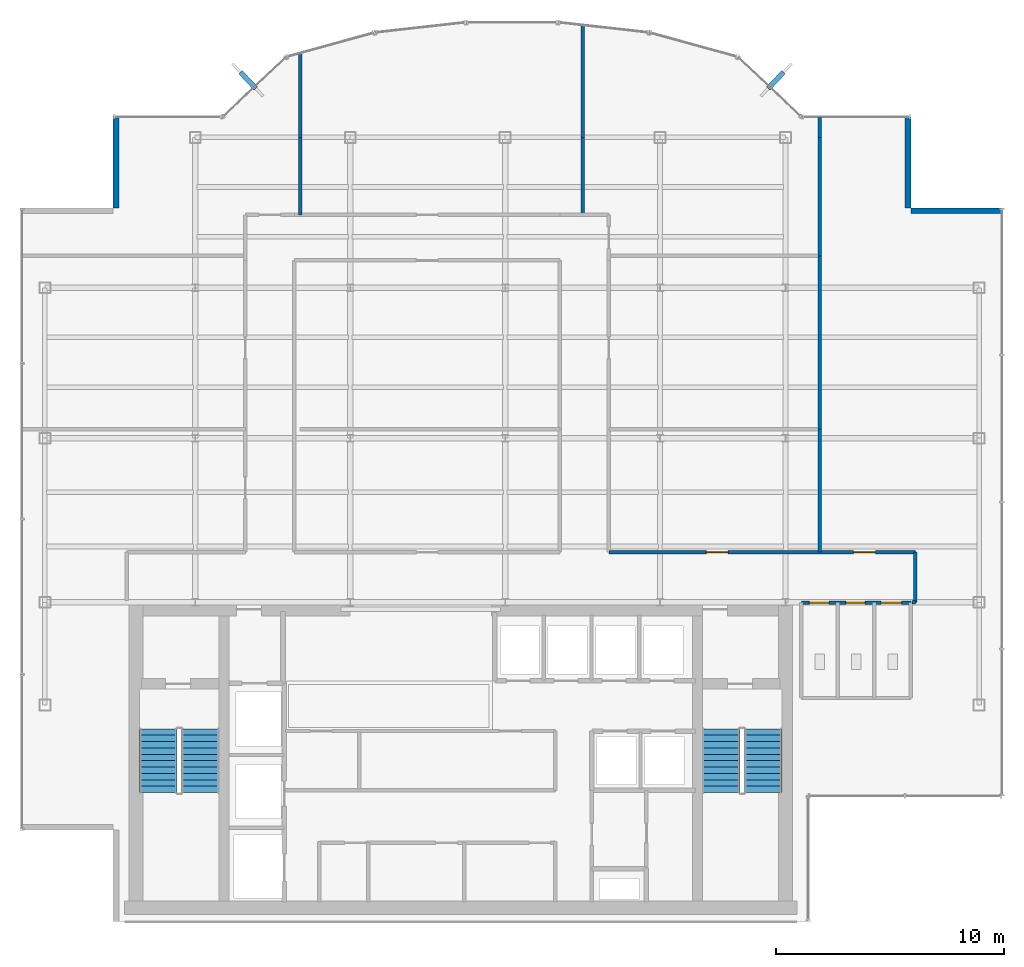
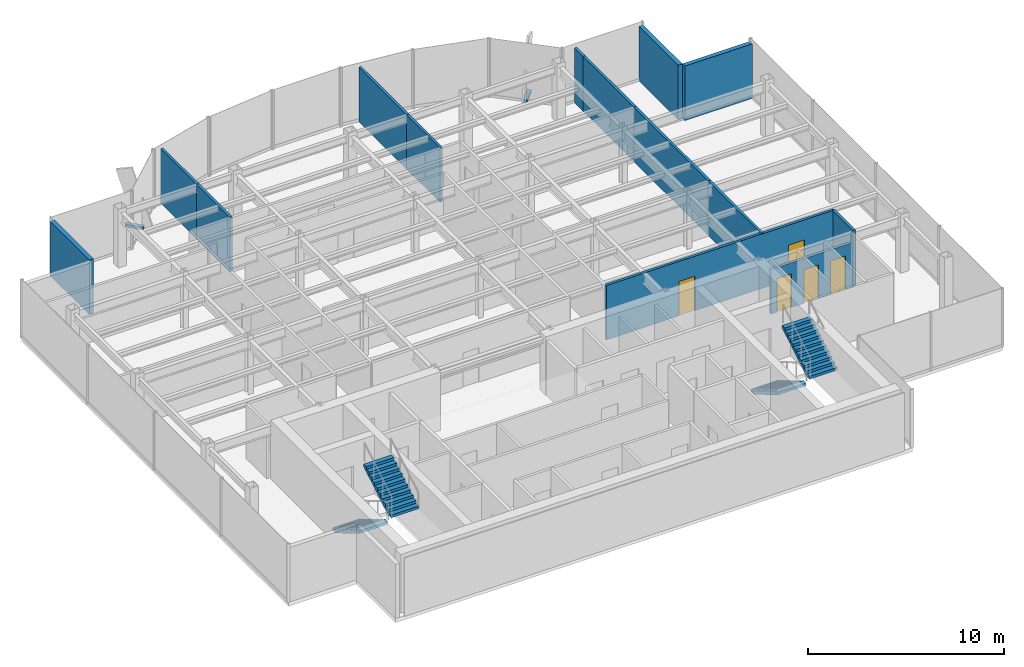
# One storey, part 19 of 22: 15 walls, 5 doors, 4 stair flights, 2 discrete accessories, 5 openings, 2 elements without a shape of their own.
"""IFC4 building model written with IfcOpenShell, lengths in metres."""

from ifc_helpers import new_model, si_unit, derived_unit, direction, frame, frame_2d, origin, origin_2d, place, context, subcontext, project, spatial, polyline, rectangle, outline, extrude, source, transform, mapped, material, layer, layer_set, type_object, element, fill, aggregate, save


model = new_model("IFC4")

# Units and contexts
model_context = context("Model", 3, precision=1e-05, world=origin(), true_north=direction((0.0, 1.0)))
body_context = subcontext(model_context, "Body", "Model", "MODEL_VIEW")
ifc_project = project(units=[si_unit("LENGTHUNIT", "METRE"), si_unit("AREAUNIT", "SQUARE_METRE"), si_unit("VOLUMEUNIT", "CUBIC_METRE"), si_unit("PLANEANGLEUNIT", "RADIAN"), si_unit("MASSUNIT", "GRAM", prefix="KILO"), derived_unit("THERMALTRANSMITTANCEUNIT", [(si_unit("POWERUNIT", "WATT"), 1), (si_unit("LENGTHUNIT", "METRE"), -2), (si_unit("THERMODYNAMICTEMPERATUREUNIT", "KELVIN"), -1)])], contexts=[model_context])

# Site, building, storey
site_placement = place(None, origin())
site = spatial("IfcSite", under=ifc_project, at=site_placement, CompositionType="ELEMENT")
building_placement = place(site_placement, origin())
building = spatial("IfcBuilding", under=site, at=building_placement, Name="Skarnbrae Concourse Arena and Tower", CompositionType="ELEMENT")
storey_placement = place(building_placement, frame((0.0, 0.0, 255.14990234375)))
storey = spatial("IfcBuildingStorey", under=building, at=storey_placement, Name="L66", CompositionType="ELEMENT", Elevation=255.14990234375)

# Walls
ifc_material_1 = material(Name="Precast concrete 40 MPa (C40/50)", Category="concrete")
ifc_layer_1 = layer(ifc_material_1, 0.25)
ifc_layer_set_1 = layer_set([ifc_layer_1], Name="Precast concrete 40 MPa (C40/50)")
wall_type_1 = type_object("IfcWallType", Name="WALL-EXT-SPANDREL-250", PredefinedType="STANDARD", material=ifc_layer_set_1)
shared_shape_1 = source(origin(), body_context, "Body", "SweptSolid", [
    extrude(rectangle(XDim=4.0, YDim=0.25, at=frame_2d((2.0, 0.0))), origin(), (0.0, 0.0, 1.0), 3.400146484375),
])
for number, where, z_axis, x_axis, name in (
    (1, (43.0, 31.175048828125, 0.0), (0.0, 0.0, 1.0), (-1.0, 0.0, 0.0), "L66 Notched corner insulated return wall 05"),
    (2, (38.875, 31.300048828125, 0.0), (0.0, 0.0, 1.0), (0.0, 1.0, 0.0), "L66 Notched corner insulated return wall 06"),
    (3, (4.125, 35.300048828125, 0.0), (0.0, 0.0, 1.0), (0.0, -1.0, 0.0), "L66 Notched corner insulated return wall 16"),
):
    element("IfcWall", number, at=place(storey_placement, frame(where, z_axis=z_axis, x_axis=x_axis)), inside=storey, type_object=wall_type_1, Name=name, PredefinedType="STANDARD", context=body_context, shape_type="MappedRepresentation", body=[
        mapped(shared_shape_1, transform((0.0, 0.0, 0.0))),
    ])
ifc_material_2 = material(Name="Gypsum board on cold-formed steel studs", Category="steel")
ifc_layer_2 = layer(ifc_material_2, 0.14990234375)
ifc_layer_set_2 = layer_set([ifc_layer_2], Name="Gypsum board on cold-formed steel studs")
wall_type_2 = type_object("IfcWallType", Name="WALL-PART-150", PredefinedType="PARTITIONING", material=ifc_layer_set_2)
shared_shape_2 = source(origin(), body_context, "Body", "SweptSolid", [
    extrude(rectangle(XDim=3.39990234375, YDim=0.14990234375, at=frame_2d((1.699951171875, 0.0))), origin(), (0.0, 0.0, 1.0), 3.400146484375),
])
for number, where, z_axis, x_axis, name in (
    (4, (12.199951171875, 34.39990234375, 0.0), (0.0, 0.0, 1.0), (0.0, -1.0, 0.0), "L66 Interior partition wall W-L66-DEM-21"),
    (5, (24.60009765625, 34.39990234375, 0.0), (0.0, 0.0, 1.0), (0.0, -1.0, 0.0), "L66 Interior partition wall W-L66-DEM-23"),
):
    element("IfcWall", number, at=place(storey_placement, frame(where, z_axis=z_axis, x_axis=x_axis)), inside=storey, type_object=wall_type_2, Name=name, PredefinedType="PARTITIONING", context=body_context, shape_type="MappedRepresentation", body=[
        mapped(shared_shape_2, transform((0.0, 0.0, 0.0))),
    ])
ifc_layer_3 = layer(ifc_material_2, 0.14990234375)
ifc_layer_set_3 = layer_set([ifc_layer_3], Name="Gypsum board on cold-formed steel studs")
wall_type_3 = type_object("IfcWallType", Name="WALL-PART-150-1HR", PredefinedType="PARTITIONING", material=ifc_layer_set_3)
shared_shape_3 = source(origin(), body_context, "Body", "SweptSolid", [
    extrude(rectangle(XDim=2.199951171875, YDim=0.14990234375, at=frame_2d((1.10009765625, 0.0))), origin(), (0.0, 0.0, 1.0), 3.400146484375),
])
wall_1_placement = place(storey_placement, frame((39.199951171875, 16.199951171875, 0.0), z_axis=(0.0, 0.0, 1.0), x_axis=(0.0, -1.0, 0.0)))
element("IfcWall", 6, at=wall_1_placement, inside=storey, type_object=wall_type_3, Name="L66 Interior partition wall W-L66-COR-11", PredefinedType="PARTITIONING", context=body_context, shape_type="MappedRepresentation", body=[
    mapped(shared_shape_3, transform((0.0, 0.0, 0.0))),
])
shared_shape_4 = source(origin(), body_context, "Body", "SweptSolid", [
    extrude(rectangle(XDim=5.199951171875, YDim=0.14990234375, at=frame_2d((2.60009765625, 0.0))), origin(), (0.0, 0.0, 1.0), 3.400146484375),
])
wall_2_placement = place(storey_placement, frame((35.0, 34.39990234375, 0.0), z_axis=(0.0, 0.0, 1.0), x_axis=(0.0, -1.0, 0.0)))
element("IfcWall", 7, at=wall_2_placement, inside=storey, type_object=wall_type_2, Name="L66 Interior partition wall W-L66-DEM-29", PredefinedType="PARTITIONING", context=body_context, shape_type="MappedRepresentation", body=[
    mapped(shared_shape_4, transform((0.0, 0.0, 0.0))),
])

# Wall, openings, doors
shared_shape_5 = source(origin(), body_context, "Body", "SweptSolid", [
    extrude(rectangle(XDim=4.800048828125, YDim=0.14990234375, at=frame_2d((2.39990234375, 0.0))), origin(), (0.0, 0.0, 1.0), 2.787109375),
])
wall_3_placement = place(storey_placement, frame((34.199951171875, 13.97998046875, 0.0), z_axis=(0.0, 0.0, 1.0), x_axis=(1.0, 0.0, 0.0)))
wall_3 = element("IfcWall", 8, at=wall_3_placement, inside=storey, type_object=wall_type_2, Name="L66 Interior partition wall W-L66-WC-N", PredefinedType="PARTITIONING", context=body_context, shape_type="MappedRepresentation", body=[
    mapped(shared_shape_5, transform((0.0, 0.0, 0.0))),
])
opening_1_placement = place(wall_3_placement, frame((0.35009765625, 0.0, 0.0)))
opening_1 = element("IfcOpeningElement", 9, at=opening_1_placement, cuts=wall_3, Name="Opening DT-06", PredefinedType="OPENING", context=body_context, shape_type="SweptSolid", body=[
    extrude(rectangle(XDim=0.85009765625, YDim=2.10009765625, at=frame_2d((0.425048828125, 1.050048828125))), frame((0.0, 0.0849609375, 0.0), z_axis=(0.0, -1.0, 0.0), x_axis=(1.0, 0.0, 0.0)), (0.0, 0.0, 1.0), 0.169921875),
])
opening_2_placement = place(wall_3_placement, frame((1.949951171875, 0.0, 0.0)))
opening_2 = element("IfcOpeningElement", 10, at=opening_2_placement, cuts=wall_3, Name="Opening DT-06", PredefinedType="OPENING", context=body_context, shape_type="SweptSolid", body=[
    extrude(rectangle(XDim=0.85009765625, YDim=2.10009765625, at=frame_2d((0.425048828125, 1.050048828125))), frame((0.0, 0.0849609375, 0.0), z_axis=(0.0, -1.0, 0.0), x_axis=(1.0, 0.0, 0.0)), (0.0, 0.0, 1.0), 0.169921875),
])
opening_3_placement = place(wall_3_placement, frame((3.5, 0.0, 0.0)))
opening_3 = element("IfcOpeningElement", 11, at=opening_3_placement, cuts=wall_3, Name="Opening DT-05", PredefinedType="OPENING", context=body_context, shape_type="SweptSolid", body=[
    extrude(rectangle(XDim=0.89990234375, YDim=2.10009765625, at=frame_2d((0.449951171875, 1.050048828125))), frame((0.0, 0.0849609375, 0.0), z_axis=(0.0, -1.0, 0.0), x_axis=(1.0, 0.0, 0.0)), (0.0, 0.0, 1.0), 0.169921875),
])
ifc_material_3 = material(Name="Architectural oak veneer timber leaf", Category="wood")
door_type_1 = type_object("IfcDoorType", Name="DOOR-INT-850", OperationType="NOTDEFINED", PredefinedType="DOOR", material=ifc_material_3)
shared_shape_6 = source(origin(), body_context, "Body", "SweptSolid", [
    extrude(rectangle(XDim=0.85009765625, YDim=2.10009765625, at=frame_2d((0.425048828125, 1.050048828125))), frame((0.0, 0.02490234375, 0.0), z_axis=(0.0, -1.0, 0.0), x_axis=(1.0, 0.0, 0.0)), (0.0, 0.0, 1.0), 0.050048828125),
])
door_1_placement = place(opening_1_placement, frame((0.85009765625, 0.0, 0.0), z_axis=(0.0, 0.0, 1.0), x_axis=(-1.0, 0.0, 0.0)))
door_1 = element("IfcDoor", 12, at=door_1_placement, inside=storey, type_object=door_type_1, Name="D-2005 Male Washroom Door", OperationType="SINGLE_SWING_LEFT", OverallHeight=2.10009765625, OverallWidth=0.85009765625, PredefinedType="DOOR", context=body_context, shape_type="MappedRepresentation", body=[
    mapped(shared_shape_6, transform((0.0, 0.0, 0.0))),
])
fill(opening_1, door_1)
door_2_placement = place(opening_2_placement, frame((0.85009765625, 0.0, 0.0), z_axis=(0.0, 0.0, 1.0), x_axis=(-1.0, 0.0, 0.0)))
door_2 = element("IfcDoor", 13, at=door_2_placement, inside=storey, type_object=door_type_1, Name="D-2006 Female Washroom Door", OperationType="SINGLE_SWING_RIGHT", OverallHeight=2.10009765625, OverallWidth=0.85009765625, PredefinedType="DOOR", context=body_context, shape_type="MappedRepresentation", body=[
    mapped(shared_shape_6, transform((0.0, 0.0, 0.0))),
])
fill(opening_2, door_2)
door_type_2 = type_object("IfcDoorType", Name="DOOR-INT-900", OperationType="NOTDEFINED", PredefinedType="DOOR", material=ifc_material_3)
shared_shape_7 = source(origin(), body_context, "Body", "SweptSolid", [
    extrude(rectangle(XDim=0.89990234375, YDim=2.10009765625, at=frame_2d((0.449951171875, 1.050048828125))), frame((0.0, 0.02490234375, 0.0), z_axis=(0.0, -1.0, 0.0), x_axis=(1.0, 0.0, 0.0)), (0.0, 0.0, 1.0), 0.050048828125),
])
door_3_placement = place(opening_3_placement, frame((0.89990234375, 0.0, 0.0), z_axis=(0.0, 0.0, 1.0), x_axis=(-1.0, 0.0, 0.0)))
door_3 = element("IfcDoor", 14, at=door_3_placement, inside=storey, type_object=door_type_2, Name="D-2007 Accessible WC Door", OperationType="SINGLE_SWING_LEFT", OverallHeight=2.10009765625, OverallWidth=0.89990234375, PredefinedType="DOOR", context=body_context, shape_type="MappedRepresentation", body=[
    mapped(shared_shape_7, transform((0.0, 0.0, 0.0))),
])
fill(opening_3, door_3)

# Walls
shared_shape_8 = source(origin(), body_context, "Body", "SweptSolid", [
    extrude(rectangle(XDim=0.14990234375, YDim=0.14990234375, at=frame_2d((0.074951171875, 0.0))), origin(), (0.0, 0.0, 1.0), 3.400146484375),
])
wall_4_placement = place(storey_placement, frame((39.199951171875, 14.0, 0.0), z_axis=(0.0, 0.0, 1.0), x_axis=(-1.0, 0.0, 0.0)))
element("IfcWall", 15, at=wall_4_placement, inside=storey, type_object=wall_type_3, Name="L66 Interior partition wall W-L66-COR-12", PredefinedType="PARTITIONING", context=body_context, shape_type="MappedRepresentation", body=[
    mapped(shared_shape_8, transform((0.0, 0.0, 0.0))),
])
shared_shape_9 = source(origin(), body_context, "Body", "SweptSolid", [
    extrude(rectangle(XDim=7.599853515625, YDim=0.14990234375, at=frame_2d((3.7998046875, 0.0))), origin(), (0.0, 0.0, 1.0), 3.400146484375),
])
wall_5_placement = place(storey_placement, frame((35.0, 29.199951171875, 0.0), z_axis=(0.0, 0.0, 1.0), x_axis=(0.0, -1.0, 0.0)))
element("IfcWall", 16, at=wall_5_placement, inside=storey, type_object=wall_type_2, Name="L66 Interior partition wall W-L66-DEM-27", PredefinedType="PARTITIONING", context=body_context, shape_type="MappedRepresentation", body=[
    mapped(shared_shape_9, transform((0.0, 0.0, 0.0))),
])

# Wall, openings, doors
shared_shape_10 = source(origin(), body_context, "Body", "SweptSolid", [
    extrude(rectangle(XDim=13.449951171875, YDim=0.14990234375, at=frame_2d((6.72509765625, 0.0))), origin(), (0.0, 0.0, 1.0), 3.400146484375),
])
wall_6_placement = place(storey_placement, frame((25.75, 16.199951171875, 0.0), z_axis=(0.0, 0.0, 1.0), x_axis=(1.0, 0.0, 0.0)))
wall_6 = element("IfcWall", 17, at=wall_6_placement, inside=storey, type_object=wall_type_3, Name="L66 Interior partition wall W-L66-COR-10", PredefinedType="PARTITIONING", context=body_context, shape_type="MappedRepresentation", body=[
    mapped(shared_shape_10, transform((0.0, 0.0, 0.0))),
])
opening_4_placement = place(wall_6_placement, frame((4.280029296875, 0.0, 0.0)))
opening_4 = element("IfcOpeningElement", 18, at=opening_4_placement, cuts=wall_6, Name="Opening DT-04", PredefinedType="OPENING", context=body_context, shape_type="SweptSolid", body=[
    extrude(rectangle(XDim=0.949951171875, YDim=2.14990234375, at=frame_2d((0.47509765625, 1.074951171875))), frame((0.0, 0.0849609375, 0.0), z_axis=(0.0, -1.0, 0.0), x_axis=(1.0, 0.0, 0.0)), (0.0, 0.0, 1.0), 0.169921875),
])
opening_5_placement = place(wall_6_placement, frame((10.7451171875, 0.0, 0.0)))
opening_5 = element("IfcOpeningElement", 19, at=opening_5_placement, cuts=wall_6, Name="Opening DT-04", PredefinedType="OPENING", context=body_context, shape_type="SweptSolid", body=[
    extrude(rectangle(XDim=0.949951171875, YDim=2.14990234375, at=frame_2d((0.47509765625, 1.074951171875))), frame((0.0, 0.0849609375, 0.0), z_axis=(0.0, -1.0, 0.0), x_axis=(1.0, 0.0, 0.0)), (0.0, 0.0, 1.0), 0.169921875),
])
ifc_material_4 = material(Name="Steel CSA G40.21 350W", Category="steel")
door_type_3 = type_object("IfcDoorType", Name="DOOR-INT-950-45M", OperationType="NOTDEFINED", PredefinedType="DOOR", material=ifc_material_4)
shared_shape_11 = source(origin(), body_context, "Body", "SweptSolid", [
    extrude(rectangle(XDim=0.949951171875, YDim=2.14990234375, at=frame_2d((0.47509765625, 1.074951171875))), frame((0.0, 0.02490234375, 0.0), z_axis=(0.0, -1.0, 0.0), x_axis=(1.0, 0.0, 0.0)), (0.0, 0.0, 1.0), 0.050048828125),
])
door_4_placement = place(opening_4_placement, origin())
door_4 = element("IfcDoor", 20, at=door_4_placement, inside=storey, type_object=door_type_3, Name="D-2015 L66 Suite Door 08", OperationType="SINGLE_SWING_LEFT", OverallHeight=2.14990234375, OverallWidth=0.949951171875, PredefinedType="DOOR", context=body_context, shape_type="MappedRepresentation", body=[
    mapped(shared_shape_11, transform((0.0, 0.0, 0.0))),
])
fill(opening_4, door_4)
door_5_placement = place(opening_5_placement, origin())
door_5 = element("IfcDoor", 21, at=door_5_placement, inside=storey, type_object=door_type_3, Name="D-2017 L66 Suite Door 10", OperationType="SINGLE_SWING_LEFT", OverallHeight=2.14990234375, OverallWidth=0.949951171875, PredefinedType="DOOR", context=body_context, shape_type="MappedRepresentation", body=[
    mapped(shared_shape_11, transform((0.0, 0.0, 0.0))),
])
fill(opening_5, door_5)

# Walls
shared_shape_12 = source(origin(), body_context, "Body", "SweptSolid", [
    extrude(rectangle(XDim=3.674072265625, YDim=0.14990234375, at=frame_2d((1.8369140625, 0.0))), origin(), (0.0, 0.0, 1.0), 3.400146484375),
])
wall_7_placement = place(storey_placement, frame((12.199951171875, 38.073974609375, 0.0), z_axis=(0.0, 0.0, 1.0), x_axis=(0.0, -1.0, 0.0)))
element("IfcWall", 22, at=wall_7_placement, inside=storey, type_object=wall_type_2, Name="L66 Interior partition wall W-L66-DEM-20", PredefinedType="PARTITIONING", context=body_context, shape_type="MappedRepresentation", body=[
    mapped(shared_shape_12, transform((0.0, 0.0, 0.0))),
])
shared_shape_13 = source(origin(), body_context, "Body", "SweptSolid", [
    extrude(rectangle(XDim=4.9052734375, YDim=0.14990234375, at=frame_2d((2.45263671875, 0.0))), origin(), (0.0, 0.0, 1.0), 3.400146484375),
])
wall_8_placement = place(storey_placement, frame((24.60009765625, 39.30517578125, 0.0), z_axis=(0.0, 0.0, 1.0), x_axis=(0.0, -1.0, 0.0)))
element("IfcWall", 23, at=wall_8_placement, inside=storey, type_object=wall_type_2, Name="L66 Interior partition wall W-L66-DEM-22", PredefinedType="PARTITIONING", context=body_context, shape_type="MappedRepresentation", body=[
    mapped(shared_shape_13, transform((0.0, 0.0, 0.0))),
])
shared_shape_14 = source(origin(), body_context, "Body", "SweptSolid", [
    extrude(rectangle(XDim=5.400146484375, YDim=0.14990234375, at=frame_2d((2.7001953125, 0.0))), origin(), (0.0, 0.0, 1.0), 3.400146484375),
])
wall_9_placement = place(storey_placement, frame((35.0, 21.60009765625, 0.0), z_axis=(0.0, 0.0, 1.0), x_axis=(0.0, -1.0, 0.0)))
element("IfcWall", 24, at=wall_9_placement, inside=storey, type_object=wall_type_2, Name="L66 Interior partition wall W-L66-DEM-26", PredefinedType="PARTITIONING", context=body_context, shape_type="MappedRepresentation", body=[
    mapped(shared_shape_14, transform((0.0, 0.0, 0.0))),
])
shared_shape_15 = source(origin(), body_context, "Body", "SweptSolid", [
    extrude(rectangle(XDim=0.880126953125, YDim=0.14990234375, at=frame_2d((0.43994140625, 0.0))), origin(), (0.0, 0.0, 1.0), 3.400146484375),
])
wall_10_placement = place(storey_placement, frame((35.0, 35.280029296875, 0.0), z_axis=(0.0, 0.0, 1.0), x_axis=(0.0, -1.0, 0.0)))
element("IfcWall", 25, at=wall_10_placement, inside=storey, type_object=wall_type_2, Name="L66 Interior partition wall W-L66-DEM-28", PredefinedType="PARTITIONING", context=body_context, shape_type="MappedRepresentation", body=[
    mapped(shared_shape_15, transform((0.0, 0.0, 0.0))),
])

# Stair, stair flights
ifc_material_5 = material(Name="Concrete 40 MPa (C40/50)", Category="concrete")
stair_type = type_object("IfcStairType", Name="STAIR-DOGLEG-1650", PredefinedType="HALF_TURN_STAIR", material=ifc_material_5)
stair_1_placement = place(storey_placement, origin())
stair_1 = element("IfcStair", 26, at=stair_1_placement, inside=storey, type_object=stair_type, Name="L66 Protected Exit Stair ST-1", PredefinedType="HALF_TURN_STAIR")
stair_flight_type = type_object("IfcStairFlightType", Name="FLIGHT-STRAIGHT-1650", PredefinedType="STRAIGHT", material=ifc_material_5)
shared_shape_16 = source(origin(), body_context, "Body", "SweptSolid", [
    extrude(outline(polyline([(0.0, 0.0), (0.0, 0.166015625), (0.280029296875, 0.166015625), (0.280029296875, 0.331787109375), (0.56005859375, 0.331787109375), (0.56005859375, 0.497802734375), (0.840087890625, 0.497802734375), (0.840087890625, 0.66357421875), (1.1201171875, 0.66357421875), (1.1201171875, 0.82958984375), (1.39990234375, 0.82958984375), (1.39990234375, 0.995361328125), (1.679931640625, 0.995361328125), (1.679931640625, 1.161376953125), (1.9599609375, 1.161376953125), (1.9599609375, 1.327392578125), (2.239990234375, 1.327392578125), (2.239990234375, 1.4931640625), (2.52001953125, 1.4931640625), (2.52001953125, 1.6591796875), (2.800048828125, 1.6591796875), (2.800048828125, 1.824951171875), (2.800048828125, 1.48486328125), (0.2939453125, 0.0), (0.0, 0.0)])), frame((0.0, 0.824951171875, 0.0), z_axis=(0.0, -1.0, 0.0), x_axis=(1.0, 0.0, 0.0)), (0.0, 0.0, 1.0), 1.64990234375),
])
stair_flight_1_placement = place(storey_placement, frame((5.97509765625, 8.449951171875, 0.0), z_axis=(0.0, 0.0, 1.0), x_axis=(0.0, -1.0, 0.0)))
stair_flight_1 = element("IfcStairFlight", 27, at=stair_flight_1_placement, type_object=stair_flight_type, Name="ST-1 flight 1", NumberOfRisers=11, NumberOfTreads=10, PredefinedType="STRAIGHT", RiserHeight=0.165909091, TreadLength=0.28, context=body_context, shape_type="MappedRepresentation", body=[
    mapped(shared_shape_16, transform((0.0, 0.0, 0.0))),
])
stair_flight_2_placement = place(storey_placement, frame((7.824951171875, 5.64990234375, 1.8251953125), z_axis=(0.0, 0.0, 1.0), x_axis=(0.0, 1.0, 0.0)))
stair_flight_2 = element("IfcStairFlight", 28, at=stair_flight_2_placement, type_object=stair_flight_type, Name="ST-1 flight 2", NumberOfRisers=11, NumberOfTreads=10, PredefinedType="STRAIGHT", RiserHeight=0.165909091, TreadLength=0.28, context=body_context, shape_type="MappedRepresentation", body=[
    mapped(shared_shape_16, transform((0.0, 0.0, 0.0))),
])
aggregate(stair_1, [stair_flight_1, stair_flight_2])

stair_2_placement = place(storey_placement, origin())
stair_2 = element("IfcStair", 29, at=stair_2_placement, inside=storey, type_object=stair_type, Name="L66 Protected Exit Stair ST-2", PredefinedType="HALF_TURN_STAIR")
stair_flight_3_placement = place(storey_placement, frame((30.675048828125, 8.449951171875, 0.0), z_axis=(0.0, 0.0, 1.0), x_axis=(0.0, -1.0, 0.0)))
stair_flight_3 = element("IfcStairFlight", 30, at=stair_flight_3_placement, type_object=stair_flight_type, Name="ST-2 flight 1", NumberOfRisers=11, NumberOfTreads=10, PredefinedType="STRAIGHT", RiserHeight=0.165909091, TreadLength=0.28, context=body_context, shape_type="MappedRepresentation", body=[
    mapped(shared_shape_16, transform((0.0, 0.0, 0.0))),
])
stair_flight_4_placement = place(storey_placement, frame((32.52490234375, 5.64990234375, 1.8251953125), z_axis=(0.0, 0.0, 1.0), x_axis=(0.0, 1.0, 0.0)))
stair_flight_4 = element("IfcStairFlight", 31, at=stair_flight_4_placement, type_object=stair_flight_type, Name="ST-2 flight 2", NumberOfRisers=11, NumberOfTreads=10, PredefinedType="STRAIGHT", RiserHeight=0.165909091, TreadLength=0.28, context=body_context, shape_type="MappedRepresentation", body=[
    mapped(shared_shape_16, transform((0.0, 0.0, 0.0))),
])
aggregate(stair_2, [stair_flight_3, stair_flight_4])

# Discrete accessories
ifc_material_6 = material(Name="Bronze anodised aluminium 6063-T6", Category="aluminium")
discrete_accessory_type = type_object("IfcDiscreteAccessoryType", Name="ACC-FIN-BRACKET", PredefinedType="BRACKET", material=ifc_material_6)
shared_shape_17 = source(origin(), body_context, "Body", "SweptSolid", [
    extrude(rectangle(XDim=0.219970703125, YDim=0.97998046875, at=origin_2d()), origin(), (0.0, 0.0, 1.0), 0.179931640625),
])
for number, where, z_axis, x_axis, name in (
    (32, (33.0791015625, 36.904541015625, -0.02978515625), (0.0, 0.0, 1.0), (0.728131751529, -0.685437198009, 0.0), "L66 Bronze fin foot support bracket 08"),
    (33, (9.9208984375, 36.904541015625, -0.02978515625), (0.0, 0.0, 1.0), (0.728131751529, 0.685437198009, 0.0), "L66 Bronze fin foot support bracket 14"),
):
    element("IfcDiscreteAccessory", number, at=place(storey_placement, frame(where, z_axis=z_axis, x_axis=x_axis)), inside=storey, type_object=discrete_accessory_type, Name=name, PredefinedType="BRACKET", context=body_context, shape_type="MappedRepresentation", body=[
        mapped(shared_shape_17, transform((0.0, 0.0, 0.0))),
    ])

save(model, "model.ifc")
